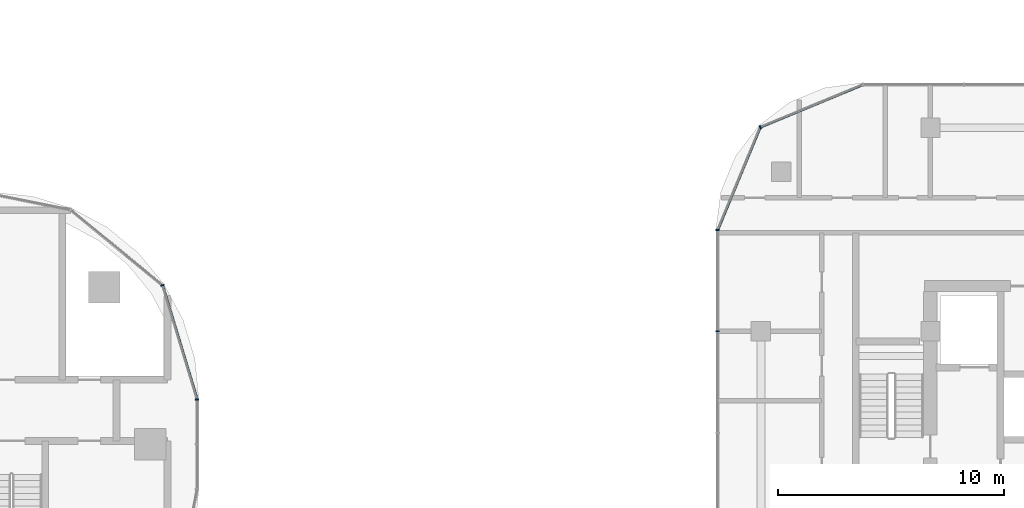
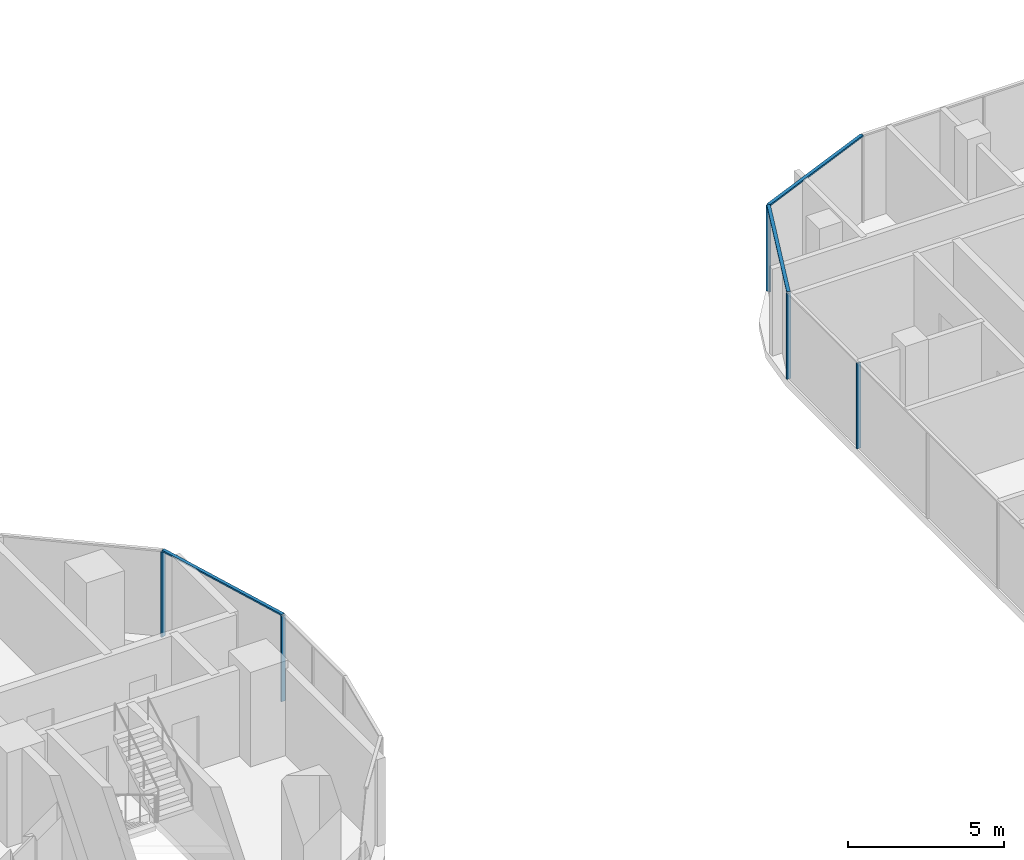
# One storey, part 10 of 32: 8 members, 4 elements without a shape of their own.
"""IFC4 building model written with IfcOpenShell, lengths in metres."""

from ifc_helpers import new_model, si_unit, direction, frame, origin, origin_2d, place, context, subcontext, project, spatial, rectangle, extrude, material, material_profile, profile_set, type_object, element, aggregate, save


model = new_model("IFC4")

# Units and contexts
model_context = context("Model", 3, precision=1e-05, world=origin(), true_north=direction((0.0, 1.0)))
body_context = subcontext(model_context, "Body", "Model", "MODEL_VIEW")
ifc_project = project(units=[si_unit("LENGTHUNIT", "METRE"), si_unit("AREAUNIT", "SQUARE_METRE"), si_unit("VOLUMEUNIT", "CUBIC_METRE"), si_unit("PLANEANGLEUNIT", "RADIAN"), si_unit("MASSUNIT", "GRAM", prefix="KILO")], contexts=[model_context])

# Site, building, storey
site_placement = place(None, origin())
site = spatial("IfcSite", under=ifc_project, at=site_placement, CompositionType="ELEMENT")
building_placement = place(site_placement, origin())
building = spatial("IfcBuilding", under=site, at=building_placement, Name="Ogive Portal Towers", CompositionType="ELEMENT")
storey_placement = place(building_placement, frame((0.0, 0.0, 59.39990234375)))
storey = spatial("IfcBuildingStorey", under=building, at=storey_placement, Name="L13", CompositionType="ELEMENT", Elevation=59.39990234375)

# Curtain wall, member
ifc_material_1 = material(Name="Glass, clear low-iron insulated glazing", Category="glass")
curtain_wall_type_1 = type_object("IfcCurtainWallType", Name="CW FRONT RIBBON 4500", PredefinedType="NOTDEFINED", material=ifc_material_1)
curtain_wall_1_placement = place(storey_placement, origin())
curtain_wall_1 = element("IfcCurtainWall", 1, at=curtain_wall_1_placement, inside=storey, type_object=curtain_wall_type_1, Name="A:L13:f12:cw0", PredefinedType="NOTDEFINED")
ifc_material_2 = material(Name="Aluminium 6063 anodised", Category="aluminium")
ifc_material_profile_1 = material_profile(ifc_material_2, rectangle(XDim=0.159912109375, YDim=0.06005859375, at=origin_2d()), Name="AL 60x160")
ifc_profile_set_1 = profile_set([ifc_material_profile_1], Name="Aluminium 6063 anodised")
member_type_1 = type_object("IfcMemberType", Name="CW MULLION 60x160", PredefinedType="MULLION", material=ifc_profile_set_1)
member_1_placement = place(storey_placement, frame((96.56494140625, 32.488037109375, 0.0), z_axis=(0.0, 0.0, 1.0), x_axis=(-1.0, 0.0, 0.0)))
member_1 = element("IfcMember", 2, at=member_1_placement, type_object=member_type_1, Name="mullion", PredefinedType="MULLION", context=body_context, shape_type="SweptSolid", body=[
    extrude(rectangle(XDim=0.159912109375, YDim=0.06005859375, at=origin_2d()), origin(), (0.0, 0.0, 1.0), 3.340087890625),
])
aggregate(curtain_wall_1, [member_1])

curtain_wall_2_placement = place(storey_placement, origin())
curtain_wall_2 = element("IfcCurtainWall", 3, at=curtain_wall_2_placement, inside=storey, type_object=curtain_wall_type_1, Name="A:L13:f13:cwa", PredefinedType="NOTDEFINED")
member_2_placement = place(storey_placement, frame((95.0341796875, 37.5341796875, 0.0), z_axis=(0.0, 0.0, 1.0), x_axis=(-0.956940335732, -0.290284677254, 0.0)))
member_2 = element("IfcMember", 4, at=member_2_placement, type_object=member_type_1, Name="mullion", PredefinedType="MULLION", context=body_context, shape_type="SweptSolid", body=[
    extrude(rectangle(XDim=0.159912109375, YDim=0.06005859375, at=origin_2d()), origin(), (0.0, 0.0, 1.0), 3.340087890625),
])

# Curtain wall, members
curtain_wall_type_2 = type_object("IfcCurtainWallType", Name="CW RESIDENCES RIBBON", PredefinedType="NOTDEFINED", material=ifc_material_1)
curtain_wall_3_placement = place(storey_placement, origin())
curtain_wall_3 = element("IfcCurtainWall", 5, at=curtain_wall_3_placement, inside=storey, type_object=curtain_wall_type_2, Name="B:L13:f11:cw0", PredefinedType="NOTDEFINED")
member_3_placement = place(storey_placement, frame((119.590087890625, 39.984130859375, 0.0), z_axis=(0.0, 0.0, 1.0), x_axis=(1.0, 0.0, 0.0)))
member_3 = element("IfcMember", 6, at=member_3_placement, type_object=member_type_1, Name="mullion", PredefinedType="MULLION", context=body_context, shape_type="SweptSolid", body=[
    extrude(rectangle(XDim=0.159912109375, YDim=0.06005859375, at=origin_2d()), origin(), (0.0, 0.0, 1.0), 3.340087890625),
])
member_4_placement = place(storey_placement, frame((119.590087890625, 35.5, 0.0), z_axis=(0.0, 0.0, 1.0), x_axis=(1.0, 0.0, 0.0)))
member_4 = element("IfcMember", 7, at=member_4_placement, type_object=member_type_1, Name="mullion", PredefinedType="MULLION", context=body_context, shape_type="SweptSolid", body=[
    extrude(rectangle(XDim=0.159912109375, YDim=0.06005859375, at=origin_2d()), origin(), (0.0, 0.0, 1.0), 3.340087890625),
])
aggregate(curtain_wall_3, [member_3, member_4])

# Curtain wall, member
curtain_wall_4_placement = place(storey_placement, origin())
curtain_wall_4 = element("IfcCurtainWall", 8, at=curtain_wall_4_placement, inside=storey, type_object=curtain_wall_type_2, Name="B:L13:f09:cwa", PredefinedType="NOTDEFINED")
member_5_placement = place(storey_placement, frame((121.47216796875, 44.52783203125, 0.0), z_axis=(0.0, 0.0, 1.0), x_axis=(0.382683432365, -0.923879532511, 0.0)))
member_5 = element("IfcMember", 9, at=member_5_placement, type_object=member_type_1, Name="mullion", PredefinedType="MULLION", context=body_context, shape_type="SweptSolid", body=[
    extrude(rectangle(XDim=0.159912109375, YDim=0.06005859375, at=origin_2d()), origin(), (0.0, 0.0, 1.0), 3.340087890625),
])

# Member
ifc_material_profile_2 = material_profile(ifc_material_2, rectangle(XDim=0.1201171875, YDim=0.06005859375, at=origin_2d()), Name="AL 120x60")
ifc_profile_set_2 = profile_set([ifc_material_profile_2], Name="Aluminium 6063 anodised")
member_type_2 = type_object("IfcMemberType", Name="CW TRANSOM 60x120", PredefinedType="USERDEFINED", material=ifc_profile_set_2)
member_6_placement = place(storey_placement, frame((96.56494140625, 32.488037109375, 3.3701171875), z_axis=(-0.290290078471, 0.956938697275, 0.0), x_axis=(-0.956938697275, -0.290290078471, 0.0)))
member_6 = element("IfcMember", 10, at=member_6_placement, type_object=member_type_2, Name="transom", ObjectType="TRANSOM", PredefinedType="USERDEFINED", context=body_context, shape_type="SweptSolid", body=[
    extrude(rectangle(XDim=0.1201171875, YDim=0.06005859375, at=origin_2d()), origin(), (0.0, 0.0, 1.0), 5.273193359375),
])

aggregate(curtain_wall_2, [member_6, member_2])

member_7_placement = place(storey_placement, frame((126.015869140625, 46.409912109375, 3.3701171875), z_axis=(-0.923878279534, -0.382686457306, 0.0), x_axis=(0.382686457306, -0.923878279534, 0.0)))
member_7 = element("IfcMember", 11, at=member_7_placement, type_object=member_type_2, Name="transom", ObjectType="TRANSOM", PredefinedType="USERDEFINED", context=body_context, shape_type="SweptSolid", body=[
    extrude(rectangle(XDim=0.1201171875, YDim=0.06005859375, at=origin_2d()), origin(), (0.0, 0.0, 1.0), 4.91796875),
])

member_8_placement = place(storey_placement, frame((121.47216796875, 44.52783203125, 3.3701171875), z_axis=(-0.382686457306, -0.923878279534, 0.0), x_axis=(0.923878279534, -0.382686457306, 0.0)))
member_8 = element("IfcMember", 12, at=member_8_placement, type_object=member_type_2, Name="transom", ObjectType="TRANSOM", PredefinedType="USERDEFINED", context=body_context, shape_type="SweptSolid", body=[
    extrude(rectangle(XDim=0.1201171875, YDim=0.06005859375, at=origin_2d()), origin(), (0.0, 0.0, 1.0), 4.91796875),
])

aggregate(curtain_wall_4, [member_7, member_8, member_5])

save(model, "model.ifc")
